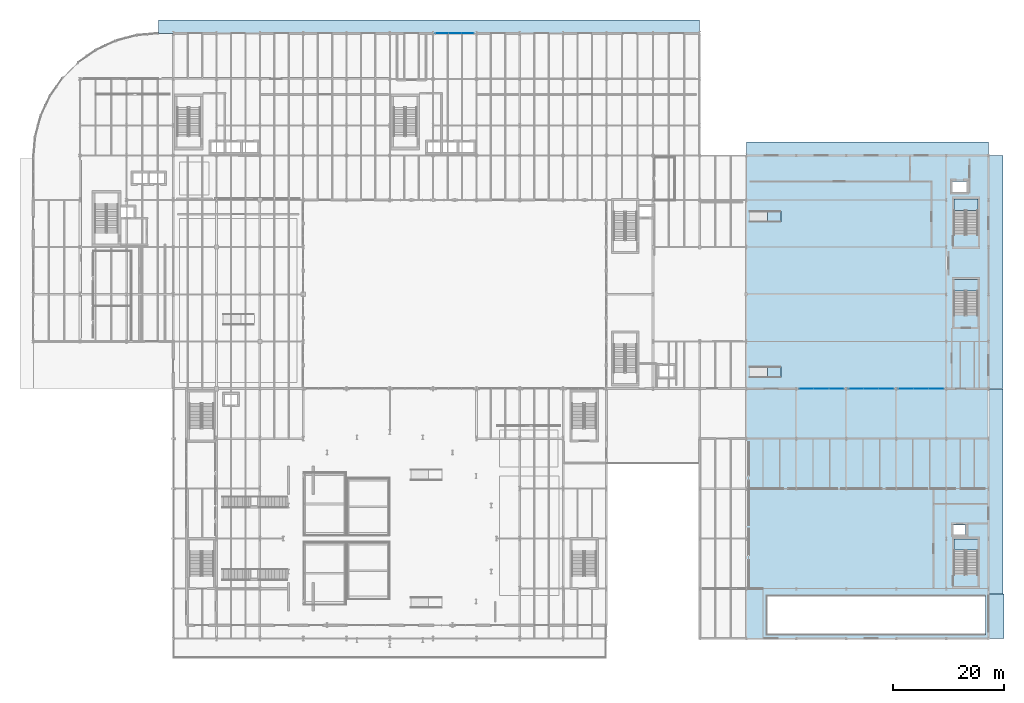
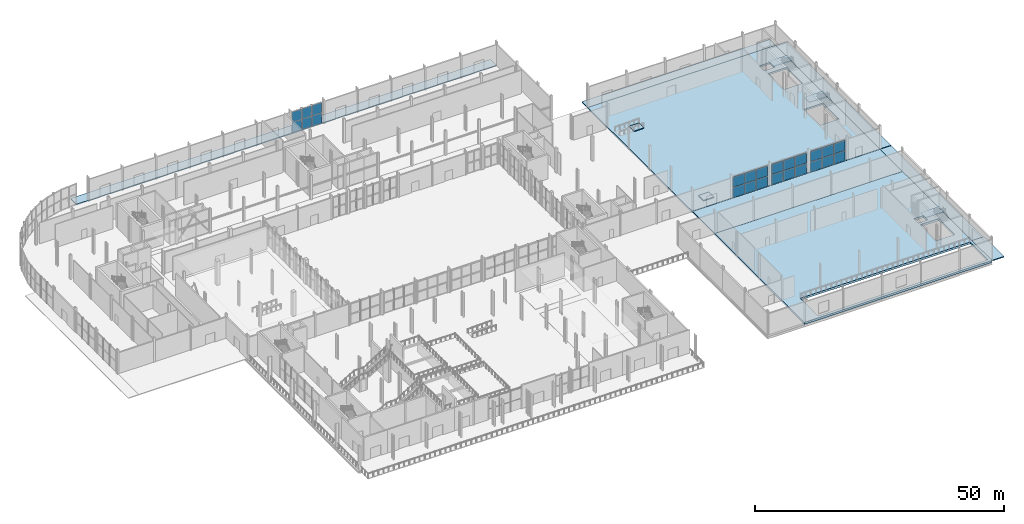
# One storey, part 51 of 84: 24 plates, 13 slabs, 9 elements without a shape of their own.
"""IFC4 building model written with IfcOpenShell, lengths in metres."""

from ifc_helpers import new_model, si_unit, direction, frame, origin, origin_2d, place, context, subcontext, project, spatial, polyline, rectangle, outline, extrude, material, layer, layer_set, type_object, element, aggregate, save


model = new_model("IFC4")

# Units and contexts
model_context = context("Model", 3, precision=1e-05, world=origin(), true_north=direction((0.0, 1.0)))
body_context = subcontext(model_context, "Body", "Model", "MODEL_VIEW")
ifc_project = project(units=[si_unit("LENGTHUNIT", "METRE"), si_unit("AREAUNIT", "SQUARE_METRE"), si_unit("VOLUMEUNIT", "CUBIC_METRE"), si_unit("PLANEANGLEUNIT", "RADIAN"), si_unit("MASSUNIT", "GRAM", prefix="KILO")], contexts=[model_context])

# Site, building, storey
site_placement = place(None, origin())
site = spatial("IfcSite", under=ifc_project, at=site_placement, CompositionType="ELEMENT")
building_placement = place(site_placement, origin())
building = spatial("IfcBuilding", under=site, at=building_placement, Name="Sefraquen Railside Congress Hotel", CompositionType="ELEMENT")
storey_placement = place(building_placement, origin())
storey = spatial("IfcBuildingStorey", under=building, at=storey_placement, Name="L00", CompositionType="ELEMENT", Elevation=0.0)

# Curtain wall, plates
ifc_material_1 = material(Name="Thermally broken anodised aluminium and low-E double glazing", Category="aluminium")
ifc_layer_1 = layer(ifc_material_1, 0.199951171875)
ifc_layer_set_1 = layer_set([ifc_layer_1], Name="Thermally broken anodised aluminium and low-E double glazing")
curtain_wall_type_1 = type_object("IfcCurtainWallType", Name="TCW-UCW-09", PredefinedType="USERDEFINED", material=ifc_layer_set_1)
curtain_wall_1_placement = place(storey_placement, origin())
curtain_wall_1 = element("IfcCurtainWall", 1, at=curtain_wall_1_placement, inside=storey, type_object=curtain_wall_type_1, Name="Grand Ballroom south garden curtain wall UCW-09", ObjectType="UNITISED CURTAIN WALL", PredefinedType="USERDEFINED")
ifc_material_2 = material(Name="Solar-control low-E double glazing", Category="glass")
ifc_layer_2 = layer(ifc_material_2, 0.02392578125)
ifc_layer_set_2 = layer_set([ifc_layer_2], Name="Solar-control low-E double glazing")
plate_type_1 = type_object("IfcPlateType", Name="TP-CWP-01", PredefinedType="CURTAIN_PANEL", material=ifc_layer_set_2)
plate_1_placement = place(storey_placement, frame((139.193359375, 54.0, 0.0400390625), z_axis=(0.0, 0.0, 1.0), x_axis=(1.0, 0.0, 0.0)))
plate_1 = element("IfcPlate", 2, at=plate_1_placement, type_object=plate_type_1, Name="CW-L00-009 panel 1.1", PredefinedType="CURTAIN_PANEL", context=body_context, shape_type="SweptSolid", body=[
    extrude(rectangle(XDim=2.61669921875, YDim=0.02392578125, at=origin_2d()), origin(), (0.0, 0.0, 1.0), 2.469970703125),
])
plate_2_placement = place(storey_placement, frame((141.89990234375, 54.0, 0.0400390625), z_axis=(0.0, 0.0, 1.0), x_axis=(1.0, 0.0, 0.0)))
plate_2 = element("IfcPlate", 3, at=plate_2_placement, type_object=plate_type_1, Name="CW-L00-009 panel 1.2", PredefinedType="CURTAIN_PANEL", context=body_context, shape_type="SweptSolid", body=[
    extrude(rectangle(XDim=2.61669921875, YDim=0.02392578125, at=origin_2d()), origin(), (0.0, 0.0, 1.0), 2.469970703125),
])
plate_3_placement = place(storey_placement, frame((144.606689453125, 54.0, 0.0400390625), z_axis=(0.0, 0.0, 1.0), x_axis=(1.0, 0.0, 0.0)))
plate_3 = element("IfcPlate", 4, at=plate_3_placement, type_object=plate_type_1, Name="CW-L00-009 panel 1.3", PredefinedType="CURTAIN_PANEL", context=body_context, shape_type="SweptSolid", body=[
    extrude(rectangle(XDim=2.61669921875, YDim=0.02392578125, at=origin_2d()), origin(), (0.0, 0.0, 1.0), 2.469970703125),
])

ifc_layer_3 = layer(ifc_material_1, 0.199951171875)
ifc_layer_set_3 = layer_set([ifc_layer_3], Name="Thermally broken anodised aluminium and low-E double glazing")
curtain_wall_type_2 = type_object("IfcCurtainWallType", Name="TCW-UCW-10", PredefinedType="USERDEFINED", material=ifc_layer_set_3)
curtain_wall_2_placement = place(storey_placement, origin())
curtain_wall_2 = element("IfcCurtainWall", 5, at=curtain_wall_2_placement, inside=storey, type_object=curtain_wall_type_2, Name="Grand Ballroom south garden curtain wall UCW-10", ObjectType="UNITISED CURTAIN WALL", PredefinedType="USERDEFINED")
plate_4_placement = place(storey_placement, frame((148.193359375, 54.0, 0.0400390625), z_axis=(0.0, 0.0, 1.0), x_axis=(1.0, 0.0, 0.0)))
plate_4 = element("IfcPlate", 6, at=plate_4_placement, type_object=plate_type_1, Name="CW-L00-010 panel 1.1", PredefinedType="CURTAIN_PANEL", context=body_context, shape_type="SweptSolid", body=[
    extrude(rectangle(XDim=2.61669921875, YDim=0.02392578125, at=origin_2d()), origin(), (0.0, 0.0, 1.0), 2.469970703125),
])
plate_5_placement = place(storey_placement, frame((150.89990234375, 54.0, 0.0400390625), z_axis=(0.0, 0.0, 1.0), x_axis=(1.0, 0.0, 0.0)))
plate_5 = element("IfcPlate", 7, at=plate_5_placement, type_object=plate_type_1, Name="CW-L00-010 panel 1.2", PredefinedType="CURTAIN_PANEL", context=body_context, shape_type="SweptSolid", body=[
    extrude(rectangle(XDim=2.61669921875, YDim=0.02392578125, at=origin_2d()), origin(), (0.0, 0.0, 1.0), 2.469970703125),
])
plate_6_placement = place(storey_placement, frame((153.606689453125, 54.0, 0.0400390625), z_axis=(0.0, 0.0, 1.0), x_axis=(1.0, 0.0, 0.0)))
plate_6 = element("IfcPlate", 8, at=plate_6_placement, type_object=plate_type_1, Name="CW-L00-010 panel 1.3", PredefinedType="CURTAIN_PANEL", context=body_context, shape_type="SweptSolid", body=[
    extrude(rectangle(XDim=2.61669921875, YDim=0.02392578125, at=origin_2d()), origin(), (0.0, 0.0, 1.0), 2.469970703125),
])

ifc_layer_4 = layer(ifc_material_1, 0.199951171875)
ifc_layer_set_4 = layer_set([ifc_layer_4], Name="Thermally broken anodised aluminium and low-E double glazing")
curtain_wall_type_3 = type_object("IfcCurtainWallType", Name="TCW-UCW-11", PredefinedType="USERDEFINED", material=ifc_layer_set_4)
curtain_wall_3_placement = place(storey_placement, origin())
curtain_wall_3 = element("IfcCurtainWall", 9, at=curtain_wall_3_placement, inside=storey, type_object=curtain_wall_type_3, Name="Grand Ballroom south garden curtain wall UCW-11", ObjectType="UNITISED CURTAIN WALL", PredefinedType="USERDEFINED")
plate_7_placement = place(storey_placement, frame((157.193359375, 54.0, 0.0400390625), z_axis=(0.0, 0.0, 1.0), x_axis=(1.0, 0.0, 0.0)))
plate_7 = element("IfcPlate", 10, at=plate_7_placement, type_object=plate_type_1, Name="CW-L00-011 panel 1.1", PredefinedType="CURTAIN_PANEL", context=body_context, shape_type="SweptSolid", body=[
    extrude(rectangle(XDim=2.61669921875, YDim=0.02392578125, at=origin_2d()), origin(), (0.0, 0.0, 1.0), 2.469970703125),
])
plate_8_placement = place(storey_placement, frame((159.89990234375, 54.0, 0.0400390625), z_axis=(0.0, 0.0, 1.0), x_axis=(1.0, 0.0, 0.0)))
plate_8 = element("IfcPlate", 11, at=plate_8_placement, type_object=plate_type_1, Name="CW-L00-011 panel 1.2", PredefinedType="CURTAIN_PANEL", context=body_context, shape_type="SweptSolid", body=[
    extrude(rectangle(XDim=2.61669921875, YDim=0.02392578125, at=origin_2d()), origin(), (0.0, 0.0, 1.0), 2.469970703125),
])
plate_9_placement = place(storey_placement, frame((162.606689453125, 54.0, 0.0400390625), z_axis=(0.0, 0.0, 1.0), x_axis=(1.0, 0.0, 0.0)))
plate_9 = element("IfcPlate", 12, at=plate_9_placement, type_object=plate_type_1, Name="CW-L00-011 panel 1.3", PredefinedType="CURTAIN_PANEL", context=body_context, shape_type="SweptSolid", body=[
    extrude(rectangle(XDim=2.61669921875, YDim=0.02392578125, at=origin_2d()), origin(), (0.0, 0.0, 1.0), 2.469970703125),
])

ifc_layer_5 = layer(ifc_material_1, 0.199951171875)
ifc_layer_set_5 = layer_set([ifc_layer_5], Name="Thermally broken anodised aluminium and low-E double glazing")
curtain_wall_type_4 = type_object("IfcCurtainWallType", Name="TCW-UCW-24", PredefinedType="USERDEFINED", material=ifc_layer_set_5)
curtain_wall_4_placement = place(storey_placement, origin())
curtain_wall_4 = element("IfcCurtainWall", 13, at=curtain_wall_4_placement, inside=storey, type_object=curtain_wall_type_4, Name="Hotel Boulevard shopfront curtain wall UCW-24", ObjectType="UNITISED CURTAIN WALL", PredefinedType="USERDEFINED")
plate_10_placement = place(storey_placement, frame((73.59326171875, 118.0, 0.0400390625), z_axis=(0.0, 0.0, 1.0), x_axis=(1.0, 0.0, 0.0)))
plate_10 = element("IfcPlate", 14, at=plate_10_placement, type_object=plate_type_1, Name="CW-L00-024 panel 1.1", PredefinedType="CURTAIN_PANEL", context=body_context, shape_type="SweptSolid", body=[
    extrude(rectangle(XDim=2.216796875, YDim=0.02392578125, at=origin_2d()), origin(), (0.0, 0.0, 1.0), 2.4951171875),
])
plate_11_placement = place(storey_placement, frame((75.89990234375, 118.0, 0.0400390625), z_axis=(0.0, 0.0, 1.0), x_axis=(1.0, 0.0, 0.0)))
plate_11 = element("IfcPlate", 15, at=plate_11_placement, type_object=plate_type_1, Name="CW-L00-024 panel 1.2", PredefinedType="CURTAIN_PANEL", context=body_context, shape_type="SweptSolid", body=[
    extrude(rectangle(XDim=2.216796875, YDim=0.02392578125, at=origin_2d()), origin(), (0.0, 0.0, 1.0), 2.4951171875),
])
plate_12_placement = place(storey_placement, frame((78.206787109375, 118.0, 0.0400390625), z_axis=(0.0, 0.0, 1.0), x_axis=(1.0, 0.0, 0.0)))
plate_12 = element("IfcPlate", 16, at=plate_12_placement, type_object=plate_type_1, Name="CW-L00-024 panel 1.3", PredefinedType="CURTAIN_PANEL", context=body_context, shape_type="SweptSolid", body=[
    extrude(rectangle(XDim=2.216796875, YDim=0.02392578125, at=origin_2d()), origin(), (0.0, 0.0, 1.0), 2.4951171875),
])

# Plate
ifc_material_3 = material(Name="Triple acoustic solar-control glazing", Category="glass")
ifc_layer_6 = layer(ifc_material_3, 0.031982421875)
ifc_layer_set_6 = layer_set([ifc_layer_6], Name="Triple acoustic solar-control glazing")
plate_type_2 = type_object("IfcPlateType", Name="TP-CWP-02", PredefinedType="CURTAIN_PANEL", material=ifc_layer_set_6)
plate_13_placement = place(storey_placement, frame((139.193359375, 54.0, 2.58984375), z_axis=(0.0, 0.0, 1.0), x_axis=(1.0, 0.0, 0.0)))
plate_13 = element("IfcPlate", 17, at=plate_13_placement, type_object=plate_type_2, Name="CW-L00-009 panel 2.1", PredefinedType="CURTAIN_PANEL", context=body_context, shape_type="SweptSolid", body=[
    extrude(rectangle(XDim=2.61669921875, YDim=0.031982421875, at=origin_2d()), origin(), (0.0, 0.0, 1.0), 2.469970703125),
])

plate_14_placement = place(storey_placement, frame((141.89990234375, 54.0, 2.58984375), z_axis=(0.0, 0.0, 1.0), x_axis=(1.0, 0.0, 0.0)))
plate_14 = element("IfcPlate", 18, at=plate_14_placement, type_object=plate_type_2, Name="CW-L00-009 panel 2.2", PredefinedType="CURTAIN_PANEL", context=body_context, shape_type="SweptSolid", body=[
    extrude(rectangle(XDim=2.61669921875, YDim=0.031982421875, at=origin_2d()), origin(), (0.0, 0.0, 1.0), 2.469970703125),
])

plate_15_placement = place(storey_placement, frame((144.606689453125, 54.0, 2.58984375), z_axis=(0.0, 0.0, 1.0), x_axis=(1.0, 0.0, 0.0)))
plate_15 = element("IfcPlate", 19, at=plate_15_placement, type_object=plate_type_2, Name="CW-L00-009 panel 2.3", PredefinedType="CURTAIN_PANEL", context=body_context, shape_type="SweptSolid", body=[
    extrude(rectangle(XDim=2.61669921875, YDim=0.031982421875, at=origin_2d()), origin(), (0.0, 0.0, 1.0), 2.469970703125),
])

aggregate(curtain_wall_1, [plate_1, plate_2, plate_3, plate_13, plate_14, plate_15])

plate_16_placement = place(storey_placement, frame((148.193359375, 54.0, 2.58984375), z_axis=(0.0, 0.0, 1.0), x_axis=(1.0, 0.0, 0.0)))
plate_16 = element("IfcPlate", 20, at=plate_16_placement, type_object=plate_type_2, Name="CW-L00-010 panel 2.1", PredefinedType="CURTAIN_PANEL", context=body_context, shape_type="SweptSolid", body=[
    extrude(rectangle(XDim=2.61669921875, YDim=0.031982421875, at=origin_2d()), origin(), (0.0, 0.0, 1.0), 2.469970703125),
])

plate_17_placement = place(storey_placement, frame((150.89990234375, 54.0, 2.58984375), z_axis=(0.0, 0.0, 1.0), x_axis=(1.0, 0.0, 0.0)))
plate_17 = element("IfcPlate", 21, at=plate_17_placement, type_object=plate_type_2, Name="CW-L00-010 panel 2.2", PredefinedType="CURTAIN_PANEL", context=body_context, shape_type="SweptSolid", body=[
    extrude(rectangle(XDim=2.61669921875, YDim=0.031982421875, at=origin_2d()), origin(), (0.0, 0.0, 1.0), 2.469970703125),
])

plate_18_placement = place(storey_placement, frame((153.606689453125, 54.0, 2.58984375), z_axis=(0.0, 0.0, 1.0), x_axis=(1.0, 0.0, 0.0)))
plate_18 = element("IfcPlate", 22, at=plate_18_placement, type_object=plate_type_2, Name="CW-L00-010 panel 2.3", PredefinedType="CURTAIN_PANEL", context=body_context, shape_type="SweptSolid", body=[
    extrude(rectangle(XDim=2.61669921875, YDim=0.031982421875, at=origin_2d()), origin(), (0.0, 0.0, 1.0), 2.469970703125),
])

aggregate(curtain_wall_2, [plate_4, plate_5, plate_6, plate_16, plate_17, plate_18])

plate_19_placement = place(storey_placement, frame((157.193359375, 54.0, 2.58984375), z_axis=(0.0, 0.0, 1.0), x_axis=(1.0, 0.0, 0.0)))
plate_19 = element("IfcPlate", 23, at=plate_19_placement, type_object=plate_type_2, Name="CW-L00-011 panel 2.1", PredefinedType="CURTAIN_PANEL", context=body_context, shape_type="SweptSolid", body=[
    extrude(rectangle(XDim=2.61669921875, YDim=0.031982421875, at=origin_2d()), origin(), (0.0, 0.0, 1.0), 2.469970703125),
])

plate_20_placement = place(storey_placement, frame((159.89990234375, 54.0, 2.58984375), z_axis=(0.0, 0.0, 1.0), x_axis=(1.0, 0.0, 0.0)))
plate_20 = element("IfcPlate", 24, at=plate_20_placement, type_object=plate_type_2, Name="CW-L00-011 panel 2.2", PredefinedType="CURTAIN_PANEL", context=body_context, shape_type="SweptSolid", body=[
    extrude(rectangle(XDim=2.61669921875, YDim=0.031982421875, at=origin_2d()), origin(), (0.0, 0.0, 1.0), 2.469970703125),
])

plate_21_placement = place(storey_placement, frame((162.606689453125, 54.0, 2.58984375), z_axis=(0.0, 0.0, 1.0), x_axis=(1.0, 0.0, 0.0)))
plate_21 = element("IfcPlate", 25, at=plate_21_placement, type_object=plate_type_2, Name="CW-L00-011 panel 2.3", PredefinedType="CURTAIN_PANEL", context=body_context, shape_type="SweptSolid", body=[
    extrude(rectangle(XDim=2.61669921875, YDim=0.031982421875, at=origin_2d()), origin(), (0.0, 0.0, 1.0), 2.469970703125),
])

aggregate(curtain_wall_3, [plate_7, plate_8, plate_9, plate_19, plate_20, plate_21])

plate_22_placement = place(storey_placement, frame((73.59326171875, 118.0, 2.614990234375), z_axis=(0.0, 0.0, 1.0), x_axis=(1.0, 0.0, 0.0)))
plate_22 = element("IfcPlate", 26, at=plate_22_placement, type_object=plate_type_2, Name="CW-L00-024 panel 2.1", PredefinedType="CURTAIN_PANEL", context=body_context, shape_type="SweptSolid", body=[
    extrude(rectangle(XDim=2.216796875, YDim=0.031982421875, at=origin_2d()), origin(), (0.0, 0.0, 1.0), 2.4951171875),
])

plate_23_placement = place(storey_placement, frame((75.89990234375, 118.0, 2.614990234375), z_axis=(0.0, 0.0, 1.0), x_axis=(1.0, 0.0, 0.0)))
plate_23 = element("IfcPlate", 27, at=plate_23_placement, type_object=plate_type_2, Name="CW-L00-024 panel 2.2", PredefinedType="CURTAIN_PANEL", context=body_context, shape_type="SweptSolid", body=[
    extrude(rectangle(XDim=2.216796875, YDim=0.031982421875, at=origin_2d()), origin(), (0.0, 0.0, 1.0), 2.4951171875),
])

plate_24_placement = place(storey_placement, frame((78.206787109375, 118.0, 2.614990234375), z_axis=(0.0, 0.0, 1.0), x_axis=(1.0, 0.0, 0.0)))
plate_24 = element("IfcPlate", 28, at=plate_24_placement, type_object=plate_type_2, Name="CW-L00-024 panel 2.3", PredefinedType="CURTAIN_PANEL", context=body_context, shape_type="SweptSolid", body=[
    extrude(rectangle(XDim=2.216796875, YDim=0.031982421875, at=origin_2d()), origin(), (0.0, 0.0, 1.0), 2.4951171875),
])

aggregate(curtain_wall_4, [plate_10, plate_11, plate_12, plate_22, plate_23, plate_24])

# Slabs
ifc_material_4 = material(Name="Concrete C40/50", Category="concrete")
ifc_layer_7 = layer(ifc_material_4, 0.219970703125)
ifc_layer_set_7 = layer_set([ifc_layer_7], Name="Concrete C40/50")
slab_type_1 = type_object("IfcSlabType", Name="TS-FS-220", PredefinedType="FLOOR", material=ifc_layer_set_7)
slab_1_placement = place(storey_placement, frame((0.0, 0.0, -0.219970703125)))
element("IfcSlab", 29, at=slab_1_placement, inside=storey, type_object=slab_type_1, Name="East vehicle ramp exterior driveway apron", ObjectType="PAVING", PredefinedType="USERDEFINED", context=body_context, shape_type="SweptSolid", body=[
    extrude(outline(polyline([(172.0, 9.0), (174.800048828125, 9.0), (174.800048828125, 17.0), (172.0, 17.0), (172.0, 9.0)])), origin(), (0.0, 0.0, 1.0), 0.219970703125),
])
slab_2_placement = place(storey_placement, frame((0.0, 0.0, -0.219970703125)))
element("IfcSlab", 30, at=slab_2_placement, inside=storey, type_object=slab_type_1, Name="North Boulevard entrance threshold sidewalk", ObjectType="PAVING", PredefinedType="USERDEFINED", context=body_context, shape_type="SweptSolid", body=[
    extrude(outline(polyline([(22.5, 118.0), (120.0, 118.0), (120.0, 120.39990234375), (22.5, 120.39990234375), (22.5, 118.0)])), origin(), (0.0, 0.0, 1.0), 0.219970703125),
])
slab_3_placement = place(storey_placement, frame((0.0, 0.0, -0.219970703125)))
element("IfcSlab", 31, at=slab_3_placement, inside=storey, type_object=slab_type_1, Name="North Ballroom arrival promenade sidewalk", ObjectType="PAVING", PredefinedType="USERDEFINED", context=body_context, shape_type="SweptSolid", body=[
    extrude(outline(polyline([(128.449951171875, 96.0), (172.0, 96.0), (172.0, 98.39990234375), (128.449951171875, 98.39990234375), (128.449951171875, 96.0)])), origin(), (0.0, 0.0, 1.0), 0.219970703125),
])
slab_4_placement = place(storey_placement, frame((0.0, 0.0, -0.219970703125)))
element("IfcSlab", 32, at=slab_4_placement, inside=storey, type_object=slab_type_1, Name="South-east spa exit walkway", ObjectType="PAVING", PredefinedType="USERDEFINED", context=body_context, shape_type="SweptSolid", body=[
    extrude(outline(polyline([(172.0, 17.0), (174.60009765625, 17.0), (174.60009765625, 53.949951171875), (172.0, 53.949951171875), (172.0, 17.0)])), origin(), (0.0, 0.0, 1.0), 0.219970703125),
])
slab_5_placement = place(storey_placement, frame((0.0, 0.0, -0.219970703125)))
element("IfcSlab", 33, at=slab_5_placement, inside=storey, type_object=slab_type_1, Name="North-east service and ballroom exit walkway", ObjectType="PAVING", PredefinedType="USERDEFINED", context=body_context, shape_type="SweptSolid", body=[
    extrude(outline(polyline([(172.0, 54.050048828125), (174.60009765625, 54.050048828125), (174.60009765625, 96.0), (172.0, 96.0), (172.0, 54.050048828125)])), origin(), (0.0, 0.0, 1.0), 0.219970703125),
])
slab_6_placement = place(storey_placement, frame((0.0, 0.0, -0.219970703125)))
element("IfcSlab", 34, at=slab_6_placement, inside=storey, type_object=slab_type_1, Name="South-east garden court promenade paving", ObjectType="PAVING", PredefinedType="USERDEFINED", context=body_context, shape_type="SweptSolid", body=[
    extrude(outline(polyline([(128.449951171875, 45.0), (172.0, 45.0), (172.0, 53.949951171875), (128.449951171875, 53.949951171875), (128.449951171875, 45.0)])), origin(), (0.0, 0.0, 1.0), 0.219970703125),
])
ifc_layer_8 = layer(ifc_material_4, 0.39990234375)
ifc_layer_set_8 = layer_set([ifc_layer_8], Name="Concrete C40/50")
slab_type_2 = type_object("IfcSlabType", Name="TS-FS-400", PredefinedType="FLOOR", material=ifc_layer_set_8)
slab_7_placement = place(storey_placement, frame((0.0, 0.0, -0.39990234375)))
element("IfcSlab", 35, at=slab_7_placement, inside=storey, type_object=slab_type_2, Name="Grand Ballroom L00 floor slab", PredefinedType="FLOOR", context=body_context, shape_type="SweptSolid", body=[
    extrude(outline(polyline([(128.449951171875, 54.050048828125), (172.0, 54.050048828125), (172.0, 96.0), (128.449951171875, 96.0), (128.449951171875, 54.050048828125)]), holes=[polyline([(165.800048828125, 81.7900390625), (170.10009765625, 81.7900390625), (170.10009765625, 88.179931640625), (165.800048828125, 88.179931640625), (165.800048828125, 81.7900390625)]), polyline([(165.800048828125, 67.2900390625), (170.10009765625, 67.2900390625), (170.10009765625, 73.679931640625), (165.800048828125, 73.679931640625), (165.800048828125, 67.2900390625)]), polyline([(165.550048828125, 89.449951171875), (168.050048828125, 89.449951171875), (168.050048828125, 91.35009765625), (165.550048828125, 91.35009765625), (165.550048828125, 89.449951171875)])]), origin(), (0.0, 0.0, 1.0), 0.39990234375),
])
ifc_layer_9 = layer(ifc_material_4, 0.5)
ifc_layer_set_9 = layer_set([ifc_layer_9], Name="Concrete C40/50")
slab_type_3 = type_object("IfcSlabType", Name="TS-FS-500", PredefinedType="FLOOR", material=ifc_layer_set_9)
slab_8_placement = place(storey_placement, frame((0.0, 0.0, -0.5)))
element("IfcSlab", 36, at=slab_8_placement, inside=storey, type_object=slab_type_3, Name="Thermal Spa east and pool deck L00 structural floor slab", PredefinedType="FLOOR", context=body_context, shape_type="SweptSolid", body=[
    extrude(outline(polyline([(128.449951171875, 9.0), (172.0, 9.0), (172.0, 45.0), (128.449951171875, 45.0), (128.449951171875, 9.0)]), holes=[polyline([(165.800048828125, 20.590087890625), (170.10009765625, 20.590087890625), (170.10009765625, 26.97998046875), (165.800048828125, 26.97998046875), (165.800048828125, 20.590087890625)]), polyline([(165.699951171875, 27.75), (167.89990234375, 27.75), (167.89990234375, 29.449951171875), (165.699951171875, 29.449951171875), (165.699951171875, 27.75)]), polyline([(132.0, 9.64990234375), (171.4599609375, 9.64990234375), (171.4599609375, 16.75), (132.0, 16.75), (132.0, 9.64990234375)])]), origin(), (0.0, 0.0, 1.0), 0.5),
])

# Ramp, slab
ramp_type = type_object("IfcRampType", Name="TRP-PED-01", PredefinedType="STRAIGHT_RUN_RAMP", material=ifc_material_4)
ramp_1_placement = place(storey_placement, origin())
ramp_1 = element("IfcRamp", 37, at=ramp_1_placement, inside=storey, type_object=ramp_type, Name="Accessible 1:20 interior dais ramp RMP-L00-PED-03", PredefinedType="STRAIGHT_RUN_RAMP")
ifc_layer_10 = layer(ifc_material_4, 0.199951171875)
ifc_layer_set_10 = layer_set([ifc_layer_10], Name="Concrete C40/50")
slab_type_4 = type_object("IfcSlabType", Name="TS-LD-200", PredefinedType="LANDING", material=ifc_layer_set_10)
slab_9_placement = place(storey_placement, origin())
slab_9 = element("IfcSlab", 38, at=slab_9_placement, type_object=slab_type_4, Name="Accessible dais landing slab RMP-L00-PED-03", PredefinedType="LANDING", context=body_context, shape_type="SweptSolid", body=[
    extrude(outline(polyline([(132.199951171875, 56.0), (134.60009765625, 56.0), (134.60009765625, 58.0), (132.199951171875, 58.0), (132.199951171875, 56.0)])), origin(), (0.0, 0.0, 1.0), 0.159912109375),
])
aggregate(ramp_1, [slab_9])

ramp_2_placement = place(storey_placement, origin())
ramp_2 = element("IfcRamp", 39, at=ramp_2_placement, inside=storey, type_object=ramp_type, Name="Accessible 1:20 interior dais ramp RMP-L00-PED-04", PredefinedType="STRAIGHT_RUN_RAMP")
slab_10_placement = place(storey_placement, origin())
slab_10 = element("IfcSlab", 40, at=slab_10_placement, type_object=slab_type_4, Name="Accessible dais landing slab RMP-L00-PED-04", PredefinedType="LANDING", context=body_context, shape_type="SweptSolid", body=[
    extrude(outline(polyline([(132.199951171875, 84.0), (134.60009765625, 84.0), (134.60009765625, 86.0), (132.199951171875, 86.0), (132.199951171875, 84.0)])), origin(), (0.0, 0.0, 1.0), 0.159912109375),
])
aggregate(ramp_2, [slab_10])

# Stair, slab
stair_type_1 = type_object("IfcStairType", Name="TST-DOG-205-600", PredefinedType="HALF_TURN_STAIR", material=ifc_material_4)
stair_1_placement = place(storey_placement, origin())
stair_1 = element("IfcStair", 41, at=stair_1_placement, inside=storey, type_object=stair_type_1, Name="L00 Pressurized escape stair ST-B01", PredefinedType="HALF_TURN_STAIR")
slab_11_placement = place(storey_placement, frame((0.0, 0.0, 2.800048828125)))
slab_11 = element("IfcSlab", 42, at=slab_11_placement, type_object=slab_type_4, Name="ST-B01 landing 1", PredefinedType="LANDING", context=body_context, shape_type="SweptSolid", body=[
    extrude(outline(polyline([(170.10009765625, 86.1298828125), (170.10009765625, 88.179931640625), (165.800048828125, 88.179931640625), (165.800048828125, 86.1298828125), (170.10009765625, 86.1298828125)])), origin(), (0.0, 0.0, 1.0), 0.199951171875),
])
aggregate(stair_1, [slab_11])

stair_type_2 = type_object("IfcStairType", Name="TST-DOG-205-540", PredefinedType="HALF_TURN_STAIR", material=ifc_material_4)
stair_2_placement = place(storey_placement, origin())
stair_2 = element("IfcStair", 43, at=stair_2_placement, inside=storey, type_object=stair_type_2, Name="L00 Pressurized escape stair ST-B02", PredefinedType="HALF_TURN_STAIR")
slab_12_placement = place(storey_placement, frame((0.0, 0.0, 2.800048828125)))
slab_12 = element("IfcSlab", 44, at=slab_12_placement, type_object=slab_type_4, Name="ST-B02 landing 1", PredefinedType="LANDING", context=body_context, shape_type="SweptSolid", body=[
    extrude(outline(polyline([(170.10009765625, 71.6298828125), (170.10009765625, 73.679931640625), (165.800048828125, 73.679931640625), (165.800048828125, 71.6298828125), (170.10009765625, 71.6298828125)])), origin(), (0.0, 0.0, 1.0), 0.199951171875),
])
aggregate(stair_2, [slab_12])

stair_3_placement = place(storey_placement, origin())
stair_3 = element("IfcStair", 45, at=stair_3_placement, inside=storey, type_object=stair_type_1, Name="L00 Pressurized escape stair ST-S01", PredefinedType="HALF_TURN_STAIR")
slab_13_placement = place(storey_placement, frame((0.0, 0.0, 2.800048828125)))
slab_13 = element("IfcSlab", 46, at=slab_13_placement, type_object=slab_type_4, Name="ST-S01 landing 1", PredefinedType="LANDING", context=body_context, shape_type="SweptSolid", body=[
    extrude(outline(polyline([(170.10009765625, 24.929931640625), (170.10009765625, 26.97998046875), (165.800048828125, 26.97998046875), (165.800048828125, 24.929931640625), (170.10009765625, 24.929931640625)])), origin(), (0.0, 0.0, 1.0), 0.199951171875),
])
aggregate(stair_3, [slab_13])

save(model, "model.ifc")
